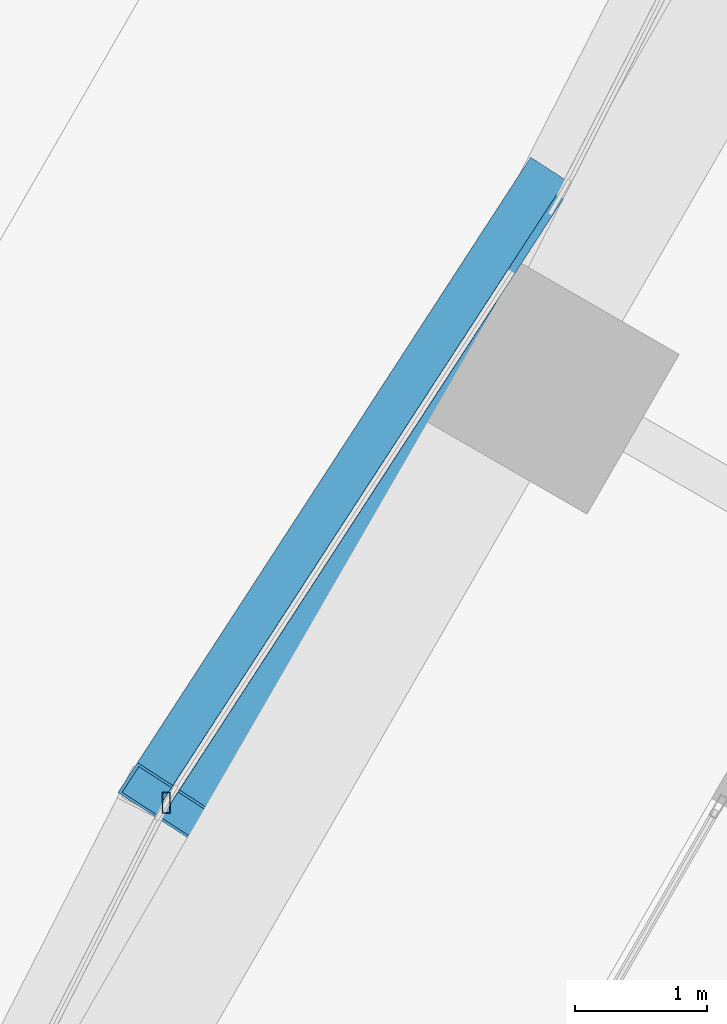
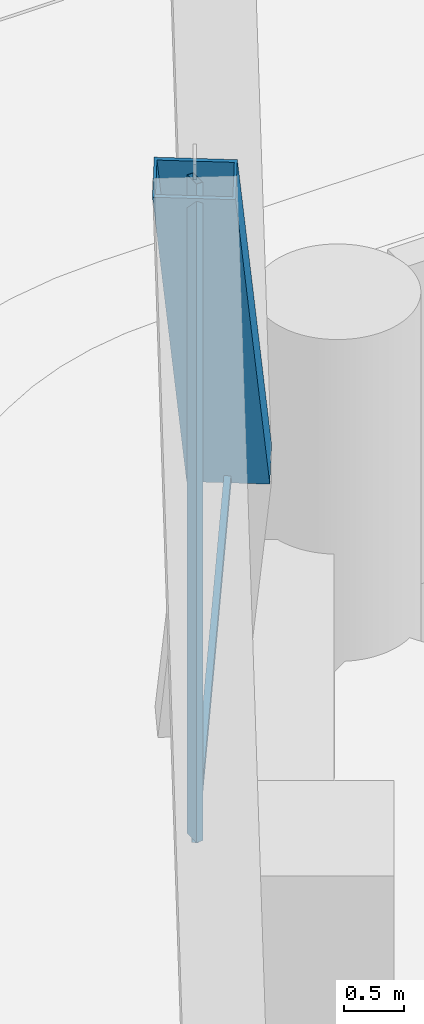
# One storey, part 26 of 71: 3 members, 2 elements without a shape of their own.
"""IFC4 building model written with IfcOpenShell, lengths in metres."""

from ifc_helpers import new_model, si_unit, direction, frame, origin, origin_2d, place, context, subcontext, project, spatial, hollow_rectangle, extrude, material, material_profile, profile_set, type_object, element, aggregate, save


model = new_model("IFC4")

# Units and contexts
model_context = context("Model", 3, precision=1e-05, world=origin(), true_north=direction((0.0, 1.0)))
body_context = subcontext(model_context, "Body", "Model", "MODEL_VIEW")
ifc_project = project(units=[si_unit("LENGTHUNIT", "METRE"), si_unit("AREAUNIT", "SQUARE_METRE"), si_unit("VOLUMEUNIT", "CUBIC_METRE"), si_unit("PLANEANGLEUNIT", "RADIAN"), si_unit("MASSUNIT", "GRAM", prefix="KILO")], contexts=[model_context])

# Site, building, storey
site_placement = place(None, origin())
site = spatial("IfcSite", under=ifc_project, at=site_placement, CompositionType="ELEMENT")
building_placement = place(site_placement, origin())
building = spatial("IfcBuilding", under=site, at=building_placement, Name="Ostrander Bayou Hotel Tower", CompositionType="ELEMENT")
storey_placement = place(building_placement, frame((0.0, 0.0, 10.0)))
storey = spatial("IfcBuildingStorey", under=building, at=storey_placement, Name="L02", CompositionType="ELEMENT", Elevation=10.0)

# Curtain wall, member
ifc_material_1 = material(Name="Aluminium and clear glass", Category="aluminium")
curtain_wall_type = type_object("IfcCurtainWallType", Name="CW-LAT lattice glazing", PredefinedType="NOTDEFINED", material=ifc_material_1)
curtain_wall_1_placement = place(storey_placement, origin())
curtain_wall_1 = element("IfcCurtainWall", 1, at=curtain_wall_1_placement, inside=storey, type_object=curtain_wall_type, Name="CW-LAT L02 NW 1", PredefinedType="NOTDEFINED")
ifc_material_2 = material(Name="Aluminium", Category="aluminium")
ifc_material_profile_1 = material_profile(ifc_material_2, hollow_rectangle(XDim=0.06005859375, YDim=0.159912109375, WallThickness=0.00390625, at=origin_2d()))
ifc_profile_set_1 = profile_set([ifc_material_profile_1], Name="Aluminium")
member_type_1 = type_object("IfcMemberType", Name="CW-LA mullion 60 x 160 mm", PredefinedType="MULLION", material=ifc_profile_set_1)
member_1_placement = place(storey_placement, frame((-19.11328125, 11.034912109375, 6.14990234375), z_axis=(0.0, 0.0, 1.0), x_axis=(1.0, 0.0, 0.0)))
member_1 = element("IfcMember", 2, at=member_1_placement, type_object=member_type_1, Name="CW-LAT mullion 5", PredefinedType="MULLION", context=body_context, shape_type="SweptSolid", body=[
    extrude(hollow_rectangle(XDim=0.06005859375, YDim=0.159912109375, WallThickness=0.00390625, at=origin_2d()), origin(), (0.0, 0.0, 1.0), 6.75),
])
aggregate(curtain_wall_1, [member_1])

curtain_wall_2_placement = place(storey_placement, origin())
curtain_wall_2 = element("IfcCurtainWall", 3, at=curtain_wall_2_placement, inside=storey, type_object=curtain_wall_type, Name="CW-LAT L02 NW 2", PredefinedType="NOTDEFINED")
ifc_material_3 = material(Name="Aluminium", Category="aluminium")
ifc_material_profile_2 = material_profile(ifc_material_3, hollow_rectangle(XDim=0.06005859375, YDim=0.1201171875, WallThickness=0.00390625, at=origin_2d()))
ifc_profile_set_2 = profile_set([ifc_material_profile_2], Name="Aluminium")
member_type_2 = type_object("IfcMemberType", Name="CW-LA transom 60 x 120 mm", PredefinedType="USERDEFINED", material=ifc_profile_set_2)
member_2_placement = place(storey_placement, frame((-19.11328125, 11.034912109375, 6.14990234375), z_axis=(0.544651812438, 0.838662270052, 0.0), x_axis=(-0.838662270052, 0.544651812438, 0.0)))
member_2 = element("IfcMember", 4, at=member_2_placement, type_object=member_type_2, Name="CW-LAT transom 6", ObjectType="TRANSOM", PredefinedType="USERDEFINED", context=body_context, shape_type="SweptSolid", body=[
    extrude(hollow_rectangle(XDim=0.06005859375, YDim=0.1201171875, WallThickness=0.00390625, at=origin_2d()), origin(), (0.0, 0.0, 1.0), 5.48291015625),
])
aggregate(curtain_wall_2, [member_2])

# Member
ifc_material_4 = material(Name="Steel ASTM A572 Gr 50", Category="steel")
ifc_material_profile_3 = material_profile(ifc_material_4, hollow_rectangle(XDim=0.699951171875, YDim=0.35009765625, WallThickness=0.02490234375, at=origin_2d()))
ifc_profile_set_3 = profile_set([ifc_material_profile_3], Name="Steel ASTM A572 Gr 50")
member_type_3 = type_object("IfcMemberType", Name="LT1 lattice member box 700 x 350 x 25 mm", PredefinedType="BRACE", material=ifc_profile_set_3)
member_3_placement = place(storey_placement, frame((-16.126953125, 15.63330078125, 6.14990234375), z_axis=(-0.343401696022, -0.528774603055, 0.776191145488), x_axis=(0.838662270052, -0.544651812438, 0.0)))
element("IfcMember", 5, at=member_3_placement, inside=storey, type_object=member_type_3, Name="LT1 L02 NW 3", PredefinedType="BRACE", context=body_context, shape_type="SweptSolid", body=[
    extrude(hollow_rectangle(XDim=0.699951171875, YDim=0.35009765625, WallThickness=0.02490234375, at=origin_2d()), origin(), (0.0, 0.0, 1.0), 8.6962890625),
])

save(model, "model.ifc")
